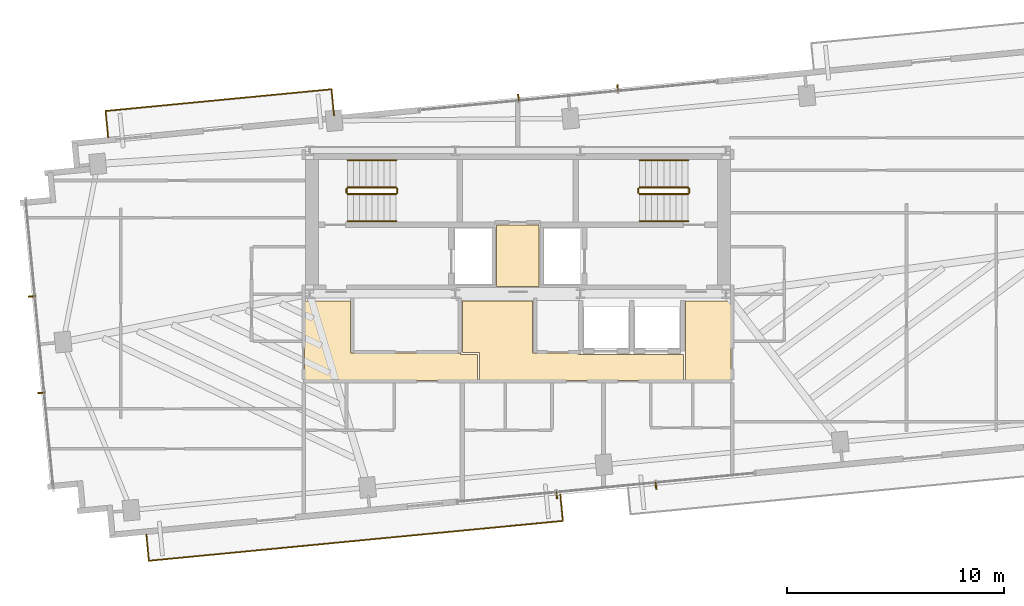
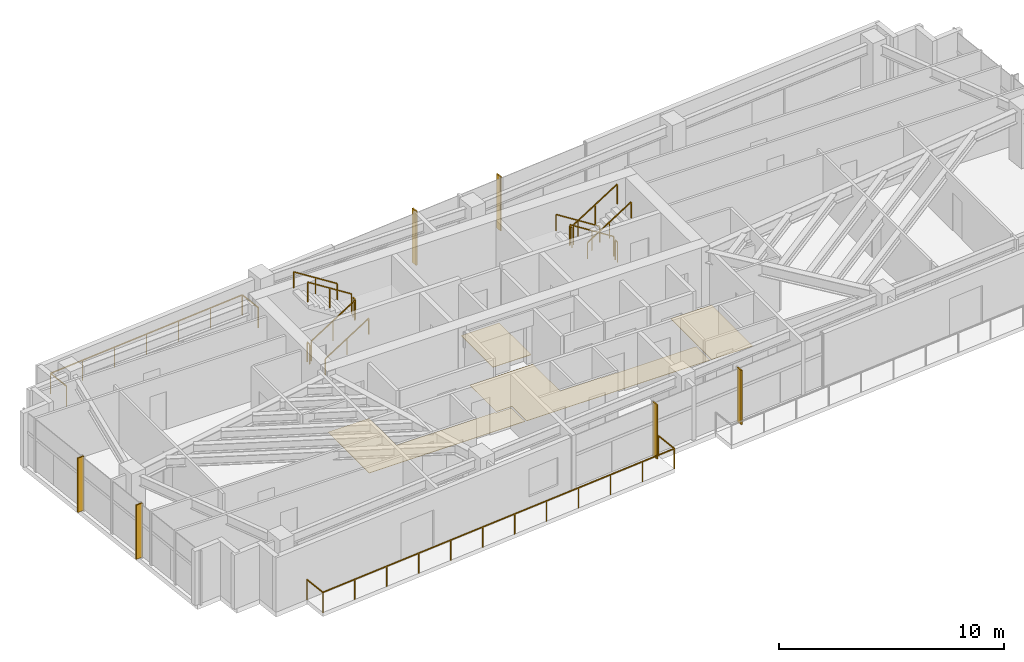
# One storey, part 17 of 18: 14 railings, 6 shading devices, 4 coverings.
"""IFC4 building model written with IfcOpenShell, lengths in metres."""

from ifc_helpers import new_model, si_unit, direction, frame, origin, origin_2d, place, context, subcontext, project, spatial, polyline, rectangle, outline, extrude, source, transform, mapped, material, layer, layer_set, type_object, type_shapes, element, save


model = new_model("IFC4")

# Units and contexts
model_context = context("Model", 3, precision=1e-05, world=origin(), true_north=direction((0.0, 1.0)))
body_context = subcontext(model_context, "Body", "Model", "MODEL_VIEW")
ifc_project = project(units=[si_unit("LENGTHUNIT", "METRE"), si_unit("AREAUNIT", "SQUARE_METRE"), si_unit("VOLUMEUNIT", "CUBIC_METRE"), si_unit("PLANEANGLEUNIT", "RADIAN"), si_unit("MASSUNIT", "GRAM", prefix="KILO")], contexts=[model_context])

# Site, building, storey
site_placement = place(None, origin())
site = spatial("IfcSite", under=ifc_project, at=site_placement, CompositionType="ELEMENT")
building_placement = place(site_placement, origin())
building = spatial("IfcBuilding", under=site, at=building_placement, Name="Astriad Promenade Condominiums", CompositionType="ELEMENT")
storey_placement = place(building_placement, frame((0.0, 0.0, 201.800048828125)))
storey = spatial("IfcBuildingStorey", under=building, at=storey_placement, Name="L58", CompositionType="ELEMENT", Elevation=201.800048828125)

# Coverings
ifc_material_1 = material(Name="Polished Lakefront Terrazzo Flooring")
ifc_layer = layer(ifc_material_1, 0.02001953125)
ifc_layer_set = layer_set([ifc_layer], Name="Polished Lakefront Terrazzo Flooring")
covering_type = type_object("IfcCoveringType", Name="COV-FLOR-TERRAZZO-20", PredefinedType="FLOORING", material=ifc_layer_set)
covering_1_placement = place(storey_placement, origin())
element("IfcCovering", 1, at=covering_1_placement, inside=storey, type_object=covering_type, Name="FLR-L58-CSL", PredefinedType="FLOORING", context=body_context, shape_type="SweptSolid", body=[
    extrude(outline(polyline([(36.97998046875, 17.739990234375), (35.02001953125, 17.739990234375), (35.02001953125, 20.580078125), (36.97998046875, 20.580078125), (36.97998046875, 17.739990234375)])), origin(), (0.0, 0.0, 1.0), 0.02001953125),
])
covering_2_placement = place(storey_placement, origin())
element("IfcCovering", 2, at=covering_2_placement, inside=storey, type_object=covering_type, Name="FLR-L58-LLB", PredefinedType="FLOORING", context=body_context, shape_type="SweptSolid", body=[
    extrude(outline(polyline([(43.639892578125, 14.610107421875), (43.639892578125, 13.39990234375), (34.239990234375, 13.39990234375), (34.239990234375, 14.64990234375), (34.23974609375, 14.65380859375), (34.2392578125, 14.65771484375), (34.23828125, 14.66162109375), (34.237060546875, 14.665283203125), (34.2353515625, 14.6689453125), (34.2333984375, 14.672119140625), (34.23095703125, 14.67529296875), (34.228271484375, 14.67822265625), (34.225341796875, 14.680908203125), (34.22216796875, 14.683349609375), (34.218994140625, 14.685302734375), (34.21533203125, 14.68701171875), (34.211669921875, 14.688232421875), (34.207763671875, 14.689208984375), (34.203857421875, 14.689697265625), (34.199951171875, 14.68994140625), (33.43994140625, 14.68994140625), (33.43994140625, 17.06005859375), (36.679931640625, 17.06005859375), (36.679931640625, 14.699951171875), (36.68017578125, 14.696044921875), (36.680908203125, 14.692138671875), (36.681640625, 14.6884765625), (36.68310546875, 14.684814453125), (36.684814453125, 14.68115234375), (36.686767578125, 14.677734375), (36.689208984375, 14.674560546875), (36.691650390625, 14.671630859375), (36.694580078125, 14.669189453125), (36.69775390625, 14.666748046875), (36.701171875, 14.664794921875), (36.70458984375, 14.6630859375), (36.70849609375, 14.66162109375), (36.712158203125, 14.660888671875), (36.716064453125, 14.66015625), (36.719970703125, 14.659912109375), (38.760009765625, 14.659912109375), (38.760009765625, 14.64990234375), (38.76025390625, 14.64599609375), (38.7607421875, 14.64208984375), (38.76171875, 14.638427734375), (38.762939453125, 14.634765625), (38.7646484375, 14.631103515625), (38.7666015625, 14.627685546875), (38.76904296875, 14.62451171875), (38.771728515625, 14.62158203125), (38.774658203125, 14.619140625), (38.77783203125, 14.61669921875), (38.781005859375, 14.61474609375), (38.78466796875, 14.613037109375), (38.788330078125, 14.61181640625), (38.792236328125, 14.61083984375), (38.796142578125, 14.610107421875), (38.800048828125, 14.610107421875), (43.639892578125, 14.610107421875)])), origin(), (0.0, 0.0, 1.0), 0.02001953125),
])
covering_3_placement = place(storey_placement, origin())
element("IfcCovering", 3, at=covering_3_placement, inside=storey, type_object=covering_type, Name="FLR-L58-COR-1", PredefinedType="FLOORING", context=body_context, shape_type="SweptSolid", body=[
    extrude(outline(polyline([(43.72998046875, 13.39990234375), (43.72998046875, 14.62353515625), (43.73095703125, 14.62451171875), (43.7333984375, 14.627685546875), (43.7353515625, 14.631103515625), (43.737060546875, 14.634765625), (43.73828125, 14.638427734375), (43.7392578125, 14.64208984375), (43.73974609375, 14.64599609375), (43.739990234375, 14.64990234375), (43.739990234375, 17.06005859375), (45.840087890625, 17.06005859375), (45.840087890625, 13.39990234375), (43.72998046875, 13.39990234375)])), origin(), (0.0, 0.0, 1.0), 0.02001953125),
])
covering_4_placement = place(storey_placement, origin())
element("IfcCovering", 4, at=covering_4_placement, inside=storey, type_object=covering_type, Name="FLR-L58-COR-2", PredefinedType="FLOORING", context=body_context, shape_type="SweptSolid", body=[
    extrude(outline(polyline([(26.159912109375, 13.39990234375), (26.159912109375, 17.06005859375), (28.280029296875, 17.06005859375), (28.280029296875, 14.699951171875), (28.2802734375, 14.696044921875), (28.28076171875, 14.692138671875), (28.28173828125, 14.6884765625), (28.282958984375, 14.684814453125), (28.28466796875, 14.68115234375), (28.28662109375, 14.677734375), (28.2890625, 14.674560546875), (28.291748046875, 14.671630859375), (28.294677734375, 14.669189453125), (28.2978515625, 14.666748046875), (28.301025390625, 14.664794921875), (28.3046875, 14.6630859375), (28.308349609375, 14.66162109375), (28.312255859375, 14.660888671875), (28.316162109375, 14.66015625), (28.320068359375, 14.659912109375), (33.35009765625, 14.659912109375), (33.35009765625, 14.64892578125), (33.35009765625, 14.64501953125), (33.350830078125, 14.64111328125), (33.35107421875, 14.64013671875), (33.351318359375, 14.639404296875), (33.351318359375, 14.638427734375), (33.352294921875, 14.634521484375), (33.353759765625, 14.630859375), (33.3544921875, 14.629150390625), (33.356201171875, 14.6259765625), (33.356689453125, 14.625), (33.35888671875, 14.62158203125), (33.3603515625, 14.61962890625), (33.36083984375, 14.618896484375), (33.361083984375, 14.61865234375), (33.361328125, 14.618408203125), (33.361572265625, 14.617919921875), (33.36328125, 14.615966796875), (33.365966796875, 14.61328125), (33.367919921875, 14.611572265625), (33.368408203125, 14.611328125), (33.36865234375, 14.611083984375), (33.368896484375, 14.61083984375), (33.36962890625, 14.6103515625), (33.37158203125, 14.60888671875), (33.375, 14.606689453125), (33.3759765625, 14.606201171875), (33.379150390625, 14.6044921875), (33.3798828125, 14.604248046875), (33.380859375, 14.603759765625), (33.384521484375, 14.602294921875), (33.388427734375, 14.601318359375), (33.389404296875, 14.601318359375), (33.39013671875, 14.60107421875), (33.39111328125, 14.600830078125), (33.39501953125, 14.60009765625), (33.39892578125, 14.60009765625), (34.14990234375, 14.60009765625), (34.14990234375, 13.39990234375), (26.159912109375, 13.39990234375)])), origin(), (0.0, 0.0, 1.0), 0.02001953125),
])

# Shading devices
ifc_material_2 = material(Name="Anodised aluminium 6063-T6 Black Fin", Category="aluminium")
shading_device_type = type_object("IfcShadingDeviceType", Name="FIN-BLACK-260", PredefinedType="USERDEFINED", material=ifc_material_2)
shared_shape_1 = source(origin(), body_context, "Body", "SweptSolid", [
    extrude(rectangle(XDim=0.06494140625, YDim=0.320068359375, at=origin_2d()), origin(), (0.0, 0.0, 1.0), 2.93994140625),
])
type_shapes(shading_device_type, [shared_shape_1])
for number, where, z_axis, x_axis, name in (
    (5, (14.021484375, 12.83203125, 0.0), (0.0, 0.0, 1.0), (-0.09584575252, 0.995396198367, 0.0), "CW-L58-W-FIN-01"),
    (6, (13.59326171875, 17.278076171875, 0.0), (0.0, 0.0, 1.0), (-0.09584575252, 0.995396198367, 0.0), "CW-L58-W-FIN-02"),
    (7, (36.02783203125, 26.447265625, 0.0), (0.0, 0.0, 1.0), (0.995396198367, 0.09584575252, 0.0), "CW-L58-N-FIN-01"),
    (8, (40.606689453125, 26.88818359375, 0.0), (0.0, 0.0, 1.0), (0.995396198367, 0.09584575252, 0.0), "CW-L58-N-FIN-02"),
    (9, (42.3720703125, 8.552734375, 0.0), (0.0, 0.0, 1.0), (-0.995396198367, -0.09584575252, 0.0), "CW-L58-S-FIN-01"),
    (10, (37.793212890625, 8.11181640625, 0.0), (0.0, 0.0, 1.0), (-0.995396198367, -0.09584575252, 0.0), "CW-L58-S-FIN-02"),
):
    element("IfcShadingDevice", number, at=place(storey_placement, frame(where, z_axis=z_axis, x_axis=x_axis)), inside=storey, type_object=shading_device_type, Name=name, ObjectType="FIN", PredefinedType="USERDEFINED", context=body_context, shape_type="MappedRepresentation", body=[
        mapped(shared_shape_1, transform((0.0, 0.0, 0.0), scale=1.0)),
    ])

# Railings
ifc_material_3 = material(Name="Laminated Glass and Stainless Steel Balustrade", Category="steel")
railing_type_1 = type_object("IfcRailingType", Name="GRD-BALC-1120", PredefinedType="BALUSTRADE", material=ifc_material_3)
shared_shape_2 = source(origin(), body_context, "Body", "SweptSolid", [
    extrude(rectangle(XDim=0.048095703125, YDim=0.048095703125, at=origin_2d()), frame((0.0, 0.0, 1.09619140625), z_axis=(0.095857307208, -0.99539508571, 0.0), x_axis=(0.99539508571, 0.095857307208, 0.0)), (0.0, 0.0, 1.0), 1.219970703125),
    extrude(rectangle(XDim=0.048095703125, YDim=0.048095703125, at=origin_2d()), frame((0.116943359375, -1.21435546875, 1.09619140625), z_axis=(0.995395680932, 0.095851126139, 0.0), x_axis=(-0.095851126139, 0.995395680932, 0.0)), (0.0, 0.0, 1.0), 19.18212890625),
    extrude(rectangle(XDim=0.048095703125, YDim=0.048095703125, at=origin_2d()), frame((19.210693359375, 0.624267578125, 1.09619140625), z_axis=(-0.095857307208, 0.99539508571, 0.0), x_axis=(-0.99539508571, -0.095857307208, 0.0)), (0.0, 0.0, 1.0), 1.219970703125),
    extrude(rectangle(XDim=0.0419921875, YDim=0.0419921875, at=origin_2d()), origin(), (0.0, 0.0, 1.0), 1.072021484375),
    extrude(rectangle(XDim=0.0419921875, YDim=0.0419921875, at=origin_2d()), frame((0.116943359375, -1.21435546875, 0.0)), (0.0, 0.0, 1.0), 1.072021484375),
    extrude(rectangle(XDim=0.0419921875, YDim=0.0419921875, at=origin_2d()), frame((1.852783203125, -1.047119140625, 0.0)), (0.0, 0.0, 1.0), 1.072021484375),
    extrude(rectangle(XDim=0.0419921875, YDim=0.0419921875, at=origin_2d()), frame((3.588623046875, -0.880126953125, 0.0)), (0.0, 0.0, 1.0), 1.072021484375),
    extrude(rectangle(XDim=0.0419921875, YDim=0.0419921875, at=origin_2d()), frame((5.32421875, -0.712890625, 0.0)), (0.0, 0.0, 1.0), 1.072021484375),
    extrude(rectangle(XDim=0.0419921875, YDim=0.0419921875, at=origin_2d()), frame((7.06005859375, -0.545654296875, 0.0)), (0.0, 0.0, 1.0), 1.072021484375),
    extrude(rectangle(XDim=0.0419921875, YDim=0.0419921875, at=origin_2d()), frame((8.7958984375, -0.378662109375, 0.0)), (0.0, 0.0, 1.0), 1.072021484375),
    extrude(rectangle(XDim=0.0419921875, YDim=0.0419921875, at=origin_2d()), frame((10.53173828125, -0.21142578125, 0.0)), (0.0, 0.0, 1.0), 1.072021484375),
    extrude(rectangle(XDim=0.0419921875, YDim=0.0419921875, at=origin_2d()), frame((12.267578125, -0.04443359375, 0.0)), (0.0, 0.0, 1.0), 1.072021484375),
    extrude(rectangle(XDim=0.0419921875, YDim=0.0419921875, at=origin_2d()), frame((14.00341796875, 0.122802734375, 0.0)), (0.0, 0.0, 1.0), 1.072021484375),
    extrude(rectangle(XDim=0.0419921875, YDim=0.0419921875, at=origin_2d()), frame((15.739013671875, 0.2900390625, 0.0)), (0.0, 0.0, 1.0), 1.072021484375),
    extrude(rectangle(XDim=0.0419921875, YDim=0.0419921875, at=origin_2d()), frame((17.474853515625, 0.45703125, 0.0)), (0.0, 0.0, 1.0), 1.072021484375),
    extrude(rectangle(XDim=0.0419921875, YDim=0.0419921875, at=origin_2d()), frame((19.210693359375, 0.624267578125, 0.0)), (0.0, 0.0, 1.0), 1.072021484375),
    extrude(rectangle(XDim=0.0419921875, YDim=0.0419921875, at=origin_2d()), frame((19.09375, 1.838623046875, 0.0)), (0.0, 0.0, 1.0), 1.072021484375),
])
railing_1_placement = place(storey_placement, frame((18.869873046875, 6.2998046875, 0.0)))
element("IfcRailing", 11, at=railing_1_placement, inside=storey, type_object=railing_type_1, Name="GRD-BALC-L58-SW", PredefinedType="BALUSTRADE", context=body_context, shape_type="MappedRepresentation", body=[
    mapped(shared_shape_2, transform((0.0, 0.0, 0.0), scale=1.0)),
])
shared_shape_3 = source(origin(), body_context, "Body", "SweptSolid", [
    extrude(rectangle(XDim=0.048095703125, YDim=0.048095703125, at=origin_2d()), frame((0.0, 0.0, 1.09619140625), z_axis=(-0.095857307208, 0.99539508571, 0.0), x_axis=(-0.99539508571, -0.095857307208, 0.0)), (0.0, 0.0, 1.0), 1.219970703125),
    extrude(rectangle(XDim=0.048095703125, YDim=0.048095703125, at=origin_2d()), frame((-0.116943359375, 1.21435546875, 1.09619140625), z_axis=(-0.99539684484, -0.095839038403, 0.0), x_axis=(0.095839038403, -0.99539684484, 0.0)), (0.0, 0.0, 1.0), 10.4697265625),
    extrude(rectangle(XDim=0.048095703125, YDim=0.048095703125, at=origin_2d()), frame((-10.53857421875, 0.2109375, 1.09619140625), z_axis=(0.095659020692, -0.99541416092, 0.0), x_axis=(0.99541416092, 0.095659020692, 0.0)), (0.0, 0.0, 1.0), 1.219970703125),
    extrude(rectangle(XDim=0.0419921875, YDim=0.0419921875, at=origin_2d()), origin(), (0.0, 0.0, 1.0), 1.072021484375),
    extrude(rectangle(XDim=0.0419921875, YDim=0.0419921875, at=origin_2d()), frame((-0.116943359375, 1.21435546875, 0.0)), (0.0, 0.0, 1.0), 1.072021484375),
    extrude(rectangle(XDim=0.0419921875, YDim=0.0419921875, at=origin_2d()), frame((-1.85400390625, 1.047119140625, 0.0)), (0.0, 0.0, 1.0), 1.072021484375),
    extrude(rectangle(XDim=0.0419921875, YDim=0.0419921875, at=origin_2d()), frame((-3.5908203125, 0.8798828125, 0.0)), (0.0, 0.0, 1.0), 1.072021484375),
    extrude(rectangle(XDim=0.0419921875, YDim=0.0419921875, at=origin_2d()), frame((-5.32763671875, 0.712646484375, 0.0)), (0.0, 0.0, 1.0), 1.072021484375),
    extrude(rectangle(XDim=0.0419921875, YDim=0.0419921875, at=origin_2d()), frame((-7.064697265625, 0.54541015625, 0.0)), (0.0, 0.0, 1.0), 1.072021484375),
    extrude(rectangle(XDim=0.0419921875, YDim=0.0419921875, at=origin_2d()), frame((-8.8017578125, 0.378173828125, 0.0)), (0.0, 0.0, 1.0), 1.072021484375),
    extrude(rectangle(XDim=0.0419921875, YDim=0.0419921875, at=origin_2d()), frame((-10.53857421875, 0.2109375, 0.0)), (0.0, 0.0, 1.0), 1.072021484375),
    extrude(rectangle(XDim=0.0419921875, YDim=0.0419921875, at=origin_2d()), frame((-10.421875, -1.00341796875, 0.0)), (0.0, 0.0, 1.0), 1.072021484375),
])
type_shapes(railing_type_1, [shared_shape_2, shared_shape_3])
railing_2_placement = place(storey_placement, frame((27.528076171875, 25.61865234375, 0.0)))
element("IfcRailing", 12, at=railing_2_placement, inside=storey, type_object=railing_type_1, Name="GRD-BALC-L58-NW", PredefinedType="BALUSTRADE", context=body_context, shape_type="MappedRepresentation", body=[
    mapped(shared_shape_3, transform((0.0, 0.0, 0.0), scale=1.0)),
])
ifc_material_4 = material(Name="Painted Galvanised Steel Guardrail", Category="steel")
railing_type_2 = type_object("IfcRailingType", Name="GRD-STAIR-1100", PredefinedType="GUARDRAIL", material=ifc_material_4)
shared_shape_4 = source(origin(), body_context, "Body", "SweptSolid", [
    extrude(rectangle(XDim=0.048095703125, YDim=0.048095703125, at=origin_2d()), frame((0.0, 0.0, 1.076171875), z_axis=(0.0, 1.0, 0.0), x_axis=(-1.0, 0.0, 0.0)), (0.0, 0.0, 1.0), 0.199951171875),
    extrude(rectangle(XDim=0.0419921875, YDim=0.0419921875, at=origin_2d()), origin(), (0.0, 0.0, 1.0), 1.052001953125),
    extrude(rectangle(XDim=0.0419921875, YDim=0.0419921875, at=origin_2d()), frame((0.0, 0.199951171875, 0.0)), (0.0, 0.0, 1.0), 1.052001953125),
])
for number, where, name in (
    (13, (30.43994140625, 22.050048828125, 1.599853515625), "L58 ST-1 stair guard 2"),
    (14, (28.10009765625, 22.050048828125, 0.0), "L58 ST-1 stair guard 4"),
):
    element("IfcRailing", number, at=place(storey_placement, frame(where)), inside=storey, type_object=railing_type_2, Name=name, PredefinedType="GUARDRAIL", context=body_context, shape_type="MappedRepresentation", body=[
        mapped(shared_shape_4, transform((0.0, 0.0, 0.0), scale=1.0)),
    ])
shared_shape_5 = source(origin(), body_context, "Body", "SweptSolid", [
    extrude(rectangle(XDim=0.048095703125, YDim=0.048095703125, at=origin_2d()), frame((0.0, 0.0, 1.076171875), z_axis=(-0.8442293374, 0.0, 0.53598211339), x_axis=(0.0, -1.0, 0.0)), (0.0, 0.0, 1.0), 2.6533203125),
    extrude(rectangle(XDim=0.0419921875, YDim=0.0419921875, at=origin_2d()), origin(), (0.0, 0.0, 1.0), 1.052001953125),
    extrude(rectangle(XDim=0.0419921875, YDim=0.0419921875, at=origin_2d()), frame((-1.1201171875, 0.0, 0.7109375)), (0.0, 0.0, 1.0), 1.052001953125),
    extrude(rectangle(XDim=0.0419921875, YDim=0.0419921875, at=origin_2d()), frame((-2.239990234375, 0.0, 1.422119140625)), (0.0, 0.0, 1.0), 1.052001953125),
])
for number, where, name in (
    (15, (30.389892578125, 22.300048828125, 1.77783203125), "L58 ST-1 stair guard 3"),
    (16, (43.85009765625, 22.300048828125, 0.177734375), "L58 ST-2 stair guard 1"),
):
    element("IfcRailing", number, at=place(storey_placement, frame(where)), inside=storey, type_object=railing_type_2, Name=name, PredefinedType="GUARDRAIL", context=body_context, shape_type="MappedRepresentation", body=[
        mapped(shared_shape_5, transform((0.0, 0.0, 0.0), scale=1.0)),
    ])
ifc_material_5 = material(Name="Brushed Stainless Steel Handrail", Category="steel")
railing_type_3 = type_object("IfcRailingType", Name="HRL-STAIR-920", PredefinedType="HANDRAIL", material=ifc_material_5)
shared_shape_6 = source(origin(), body_context, "Body", "SweptSolid", [
    extrude(rectangle(XDim=0.048095703125, YDim=0.048095703125, at=origin_2d()), frame((0.0, 0.0, 0.8759765625), z_axis=(-0.8442293374, 0.0, 0.53598211339), x_axis=(0.0, -1.0, 0.0)), (0.0, 0.0, 1.0), 2.6533203125),
    extrude(rectangle(XDim=0.0419921875, YDim=0.0419921875, at=origin_2d()), origin(), (0.0, 0.0, 1.0), 0.851806640625),
    extrude(rectangle(XDim=0.0419921875, YDim=0.0419921875, at=origin_2d()), frame((-1.1201171875, 0.0, 0.7109375)), (0.0, 0.0, 1.0), 0.851806640625),
    extrude(rectangle(XDim=0.0419921875, YDim=0.0419921875, at=origin_2d()), frame((-2.239990234375, 0.0, 1.422119140625)), (0.0, 0.0, 1.0), 0.851806640625),
])
for number, where, name in (
    (17, (30.389892578125, 23.550048828125, 1.77783203125), "L58 ST-1 stair handrail 2"),
    (18, (43.85009765625, 23.550048828125, 0.177734375), "L58 ST-2 stair handrail 1"),
):
    element("IfcRailing", number, at=place(storey_placement, frame(where)), inside=storey, type_object=railing_type_3, Name=name, PredefinedType="HANDRAIL", context=body_context, shape_type="MappedRepresentation", body=[
        mapped(shared_shape_6, transform((0.0, 0.0, 0.0), scale=1.0)),
    ])
shared_shape_7 = source(origin(), body_context, "Body", "SweptSolid", [
    extrude(rectangle(XDim=0.048095703125, YDim=0.048095703125, at=origin_2d()), frame((0.0, 0.0, 1.076171875), z_axis=(0.8442293374, 0.0, 0.53598211339), x_axis=(0.0, 1.0, 0.0)), (0.0, 0.0, 1.0), 2.6533203125),
    extrude(rectangle(XDim=0.0419921875, YDim=0.0419921875, at=origin_2d()), origin(), (0.0, 0.0, 1.0), 1.052001953125),
    extrude(rectangle(XDim=0.0419921875, YDim=0.0419921875, at=origin_2d()), frame((1.1201171875, 0.0, 0.7109375)), (0.0, 0.0, 1.0), 1.052001953125),
    extrude(rectangle(XDim=0.0419921875, YDim=0.0419921875, at=origin_2d()), frame((2.239990234375, 0.0, 1.422119140625)), (0.0, 0.0, 1.0), 1.052001953125),
])
for number, where, name in (
    (19, (28.14990234375, 22.0, 0.177734375), "L58 ST-1 stair guard 1"),
    (20, (41.610107421875, 22.0, 1.77783203125), "L58 ST-2 stair guard 3"),
):
    element("IfcRailing", number, at=place(storey_placement, frame(where)), inside=storey, type_object=railing_type_2, Name=name, PredefinedType="GUARDRAIL", context=body_context, shape_type="MappedRepresentation", body=[
        mapped(shared_shape_7, transform((0.0, 0.0, 0.0), scale=1.0)),
    ])
shared_shape_8 = source(origin(), body_context, "Body", "SweptSolid", [
    extrude(rectangle(XDim=0.048095703125, YDim=0.048095703125, at=origin_2d()), frame((0.0, 0.0, 0.8759765625), z_axis=(0.8442293374, 0.0, 0.53598211339), x_axis=(0.0, 1.0, 0.0)), (0.0, 0.0, 1.0), 2.6533203125),
    extrude(rectangle(XDim=0.0419921875, YDim=0.0419921875, at=origin_2d()), origin(), (0.0, 0.0, 1.0), 0.851806640625),
    extrude(rectangle(XDim=0.0419921875, YDim=0.0419921875, at=origin_2d()), frame((1.1201171875, 0.0, 0.7109375)), (0.0, 0.0, 1.0), 0.851806640625),
    extrude(rectangle(XDim=0.0419921875, YDim=0.0419921875, at=origin_2d()), frame((2.239990234375, 0.0, 1.422119140625)), (0.0, 0.0, 1.0), 0.851806640625),
])
type_shapes(railing_type_3, [shared_shape_6, shared_shape_8])
for number, where, name in (
    (21, (28.14990234375, 20.75, 0.177734375), "L58 ST-1 stair handrail 1"),
    (22, (41.610107421875, 20.75, 1.77783203125), "L58 ST-2 stair handrail 2"),
):
    element("IfcRailing", number, at=place(storey_placement, frame(where)), inside=storey, type_object=railing_type_3, Name=name, PredefinedType="HANDRAIL", context=body_context, shape_type="MappedRepresentation", body=[
        mapped(shared_shape_8, transform((0.0, 0.0, 0.0), scale=1.0)),
    ])
shared_shape_9 = source(origin(), body_context, "Body", "SweptSolid", [
    extrude(rectangle(XDim=0.048095703125, YDim=0.048095703125, at=origin_2d()), frame((0.0, 0.0, 1.076171875), z_axis=(0.0, -1.0, 0.0), x_axis=(1.0, 0.0, 0.0)), (0.0, 0.0, 1.0), 0.199951171875),
    extrude(rectangle(XDim=0.0419921875, YDim=0.0419921875, at=origin_2d()), origin(), (0.0, 0.0, 1.0), 1.052001953125),
    extrude(rectangle(XDim=0.0419921875, YDim=0.0419921875, at=origin_2d()), frame((0.0, -0.199951171875, 0.0)), (0.0, 0.0, 1.0), 1.052001953125),
])
type_shapes(railing_type_2, [shared_shape_4, shared_shape_5, shared_shape_7, shared_shape_9])
for number, where, name in (
    (23, (41.56005859375, 22.25, 1.599853515625), "L58 ST-2 stair guard 2"),
    (24, (43.89990234375, 22.25, 0.0), "L58 ST-2 stair guard 4"),
):
    element("IfcRailing", number, at=place(storey_placement, frame(where)), inside=storey, type_object=railing_type_2, Name=name, PredefinedType="GUARDRAIL", context=body_context, shape_type="MappedRepresentation", body=[
        mapped(shared_shape_9, transform((0.0, 0.0, 0.0), scale=1.0)),
    ])

save(model, "model.ifc")
